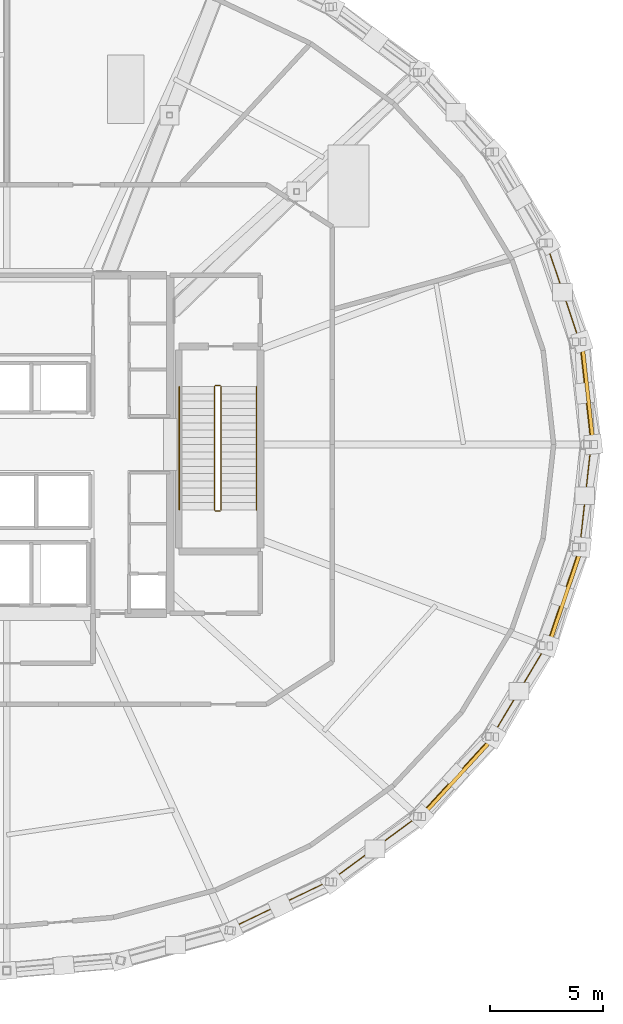
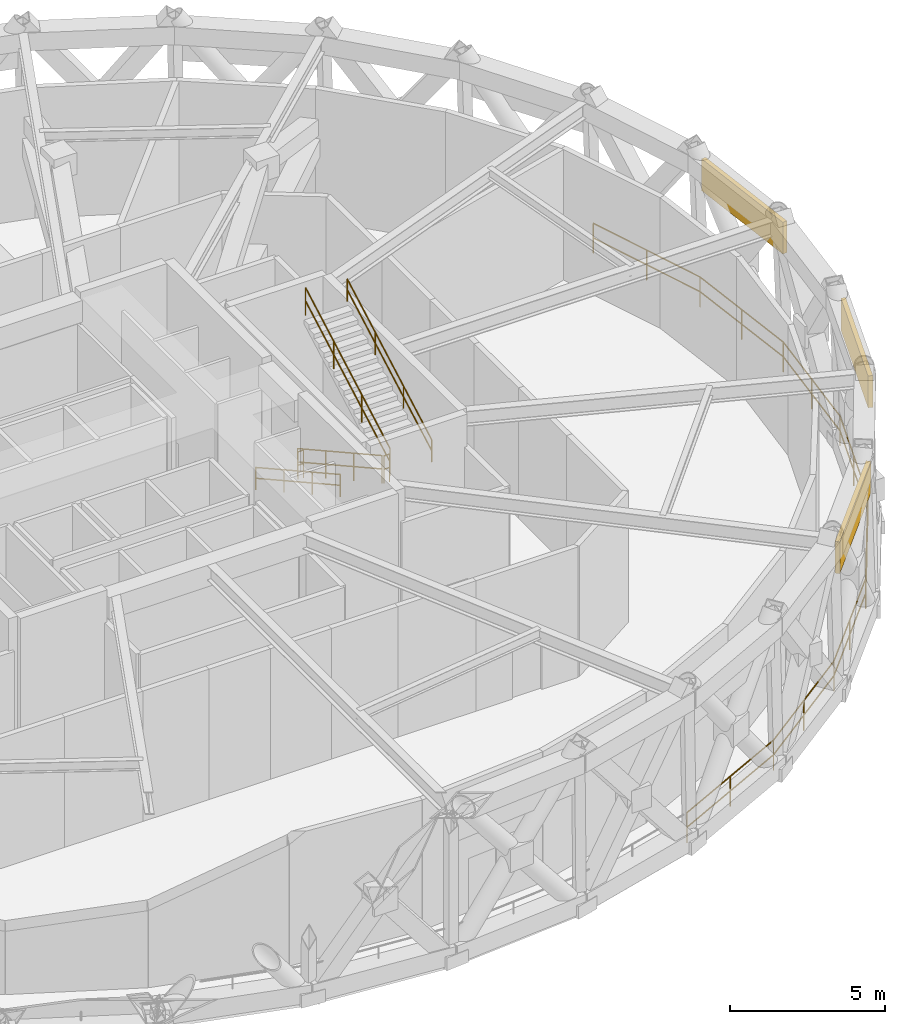
# One storey, part 13 of 15: 10 railings, 3 shading devices.
"""IFC4 building model written with IfcOpenShell, lengths in metres."""

from ifc_helpers import new_model, si_unit, direction, frame, origin, origin_2d, place, context, subcontext, project, spatial, rectangle, circle, extrude, material, layer, layer_set, type_object, element, save


model = new_model("IFC4")

# Units and contexts
model_context = context("Model", 3, precision=1e-05, world=origin(), true_north=direction((0.0, 1.0)))
body_context = subcontext(model_context, "Body", "Model", "MODEL_VIEW")
ifc_project = project(units=[si_unit("LENGTHUNIT", "METRE"), si_unit("AREAUNIT", "SQUARE_METRE"), si_unit("VOLUMEUNIT", "CUBIC_METRE"), si_unit("PLANEANGLEUNIT", "RADIAN"), si_unit("MASSUNIT", "GRAM", prefix="KILO")], contexts=[model_context])

# Site, building, storey
site_placement = place(None, origin())
site = spatial("IfcSite", under=ifc_project, at=site_placement, CompositionType="ELEMENT")
building_placement = place(site_placement, origin())
building = spatial("IfcBuilding", under=site, at=building_placement, Name="Veldorina Hangang Commons", CompositionType="ELEMENT")
storey_placement = place(building_placement, frame((0.0, 0.0, 208.39990234375)))
storey = spatial("IfcBuildingStorey", under=building, at=storey_placement, Name="L54", CompositionType="ELEMENT", Elevation=208.39990234375)

# Shading devices
ifc_material_1 = material(Name="Bronze Perforated Anodized", Category="metal")
ifc_layer = layer(ifc_material_1, 0.159912109375)
ifc_layer_set = layer_set([ifc_layer], Name="Bronze Perforated Anodized")
shading_device_type = type_object("IfcShadingDeviceType", Name="LVR-WND-4800", PredefinedType="JALOUSIE", material=ifc_layer_set)
shading_device_1_placement = place(storey_placement, frame((57.600830078125, 26.26220703125, 4.59521484375), z_axis=(0.0, 0.0, 1.0), x_axis=(-0.109127114459, 0.994027802876, 0.0)))
element("IfcShadingDevice", 1, at=shading_device_1_placement, inside=storey, type_object=shading_device_type, Name="L54 open wind-floor high storm louvre 00", PredefinedType="JALOUSIE", context=body_context, shape_type="SweptSolid", body=[
    extrude(rectangle(XDim=4.431396484375, YDim=0.159912109375, at=origin_2d()), origin(), (0.0, 0.0, 1.0), 1.25),
])
shading_device_2_placement = place(storey_placement, frame((51.885498046875, 9.358642578125, 4.59521484375), z_axis=(0.0, 0.0, 1.0), x_axis=(0.674959432699, 0.737854839525, 0.0)))
element("IfcShadingDevice", 2, at=shading_device_2_placement, inside=storey, type_object=shading_device_type, Name="L54 open wind-floor high storm louvre 28", PredefinedType="JALOUSIE", context=body_context, shape_type="SweptSolid", body=[
    extrude(rectangle(XDim=4.642822265625, YDim=0.159912109375, at=origin_2d()), origin(), (0.0, 0.0, 1.0), 1.25),
])
shading_device_3_placement = place(storey_placement, frame((56.616943359375, 17.30029296875, 4.59521484375), z_axis=(0.0, 0.0, 1.0), x_axis=(0.320315399884, 0.947310954543, 0.0)))
element("IfcShadingDevice", 3, at=shading_device_3_placement, inside=storey, type_object=shading_device_type, Name="L54 open wind-floor high storm louvre 30", PredefinedType="JALOUSIE", context=body_context, shape_type="SweptSolid", body=[
    extrude(rectangle(XDim=4.472412109375, YDim=0.159912109375, at=origin_2d()), origin(), (0.0, 0.0, 1.0), 1.25),
])

# Railings
ifc_material_2 = material(Name="Steel Painted Balustrade", Category="steel")
railing_type_1 = type_object("IfcRailingType", Name="RL-GRD-STAIR", PredefinedType="GUARDRAIL", material=ifc_material_2)
railing_1_placement = place(storey_placement, frame((41.14990234375, 26.550048828125, 0.177978515625)))
element("IfcRailing", 4, at=railing_1_placement, inside=storey, type_object=railing_type_1, Name="L54 ST-2 stair guard 1", PredefinedType="GUARDRAIL", context=body_context, shape_type="SweptSolid", body=[
    extrude(circle(Radius=0.02392578125, at=origin_2d()), frame((0.0, 0.0, 1.076171875), z_axis=(0.0, -0.874155425575, 0.485646262148), x_axis=(1.0, 0.0, 0.0)), (0.0, 0.0, 1.0), 6.22314453125),
    extrude(circle(Radius=0.02392578125, at=origin_2d()), frame((0.0, 0.0, 0.550048828125), z_axis=(0.0, -0.874155425575, 0.485646262148), x_axis=(1.0, 0.0, 0.0)), (0.0, 0.0, 1.0), 6.22314453125),
    extrude(circle(Radius=0.02099609375, at=origin_2d()), origin(), (0.0, 0.0, 1.0), 1.052001953125),
    extrude(circle(Radius=0.02099609375, at=origin_2d()), frame((0.0, -1.813232421875, 1.00732421875)), (0.0, 0.0, 1.0), 1.052001953125),
    extrude(circle(Radius=0.02099609375, at=origin_2d()), frame((0.0, -3.626708984375, 2.014892578125)), (0.0, 0.0, 1.0), 1.052001953125),
    extrude(circle(Radius=0.02099609375, at=origin_2d()), frame((0.0, -5.43994140625, 3.022216796875)), (0.0, 0.0, 1.0), 1.052001953125),
])
railing_2_placement = place(storey_placement, frame((41.199951171875, 21.06005859375, 3.2001953125)))
element("IfcRailing", 5, at=railing_2_placement, inside=storey, type_object=railing_type_1, Name="L54 ST-2 stair guard 2", PredefinedType="GUARDRAIL", context=body_context, shape_type="SweptSolid", body=[
    extrude(circle(Radius=0.02392578125, at=origin_2d()), frame((0.0, 0.0, 1.076171875), z_axis=(1.0, 0.0, 0.0), x_axis=(0.0, 1.0, 0.0)), (0.0, 0.0, 1.0), 0.199951171875),
    extrude(circle(Radius=0.02392578125, at=origin_2d()), frame((0.0, 0.0, 0.550048828125), z_axis=(1.0, 0.0, 0.0), x_axis=(0.0, 1.0, 0.0)), (0.0, 0.0, 1.0), 0.199951171875),
    extrude(circle(Radius=0.02099609375, at=origin_2d()), origin(), (0.0, 0.0, 1.0), 1.052001953125),
    extrude(circle(Radius=0.02099609375, at=origin_2d()), frame((0.199951171875, 0.0, 0.0)), (0.0, 0.0, 1.0), 1.052001953125),
])
railing_3_placement = place(storey_placement, frame((41.449951171875, 21.110107421875, 3.3779296875)))
element("IfcRailing", 6, at=railing_3_placement, inside=storey, type_object=railing_type_1, Name="L54 ST-2 stair guard 3", PredefinedType="GUARDRAIL", context=body_context, shape_type="SweptSolid", body=[
    extrude(circle(Radius=0.02392578125, at=origin_2d()), frame((0.0, 0.0, 1.076171875), z_axis=(0.0, 0.874155425575, 0.485646262148), x_axis=(-1.0, 0.0, 0.0)), (0.0, 0.0, 1.0), 6.22314453125),
    extrude(circle(Radius=0.02392578125, at=origin_2d()), frame((0.0, 0.0, 0.550048828125), z_axis=(0.0, 0.874155425575, 0.485646262148), x_axis=(-1.0, 0.0, 0.0)), (0.0, 0.0, 1.0), 6.22314453125),
    extrude(circle(Radius=0.02099609375, at=origin_2d()), origin(), (0.0, 0.0, 1.0), 1.052001953125),
    extrude(circle(Radius=0.02099609375, at=origin_2d()), frame((0.0, 1.813232421875, 1.00732421875)), (0.0, 0.0, 1.0), 1.052001953125),
    extrude(circle(Radius=0.02099609375, at=origin_2d()), frame((0.0, 3.626708984375, 2.014892578125)), (0.0, 0.0, 1.0), 1.052001953125),
    extrude(circle(Radius=0.02099609375, at=origin_2d()), frame((0.0, 5.43994140625, 3.022216796875)), (0.0, 0.0, 1.0), 1.052001953125),
])
railing_4_placement = place(storey_placement, frame((41.199951171875, 26.60009765625, 0.0)))
element("IfcRailing", 7, at=railing_4_placement, inside=storey, type_object=railing_type_1, Name="L54 ST-2 stair guard 4", PredefinedType="GUARDRAIL", context=body_context, shape_type="SweptSolid", body=[
    extrude(circle(Radius=0.02392578125, at=origin_2d()), frame((0.0, 0.0, 1.076171875), z_axis=(1.0, 0.0, 0.0), x_axis=(0.0, 1.0, 0.0)), (0.0, 0.0, 1.0), 0.199951171875),
    extrude(circle(Radius=0.02392578125, at=origin_2d()), frame((0.0, 0.0, 0.550048828125), z_axis=(1.0, 0.0, 0.0), x_axis=(0.0, 1.0, 0.0)), (0.0, 0.0, 1.0), 0.199951171875),
    extrude(circle(Radius=0.02099609375, at=origin_2d()), origin(), (0.0, 0.0, 1.0), 1.052001953125),
    extrude(circle(Radius=0.02099609375, at=origin_2d()), frame((0.199951171875, 0.0, 0.0)), (0.0, 0.0, 1.0), 1.052001953125),
])
ifc_material_3 = material(Name="Stainless Steel Brushed 316", Category="steel")
railing_type_2 = type_object("IfcRailingType", Name="RL-GRD-WIND", PredefinedType="GUARDRAIL", material=ifc_material_3)
railing_5_placement = place(storey_placement, frame((57.749267578125, 24.0, 0.0)))
element("IfcRailing", 8, at=railing_5_placement, inside=storey, type_object=railing_type_2, Name="L54 wind gallery perimeter safety guard 01", PredefinedType="GUARDRAIL", context=body_context, shape_type="SweptSolid", body=[
    extrude(circle(Radius=0.02392578125, at=origin_2d()), frame((0.0, 0.0, 1.17578125), z_axis=(-0.109207994496, 0.994018920312, 0.0), x_axis=(-0.994018920312, -0.109207994496, 0.0)), (0.0, 0.0, 1.0), 4.53369140625),
    extrude(circle(Radius=0.02392578125, at=origin_2d()), frame((0.0, 0.0, 0.60009765625), z_axis=(-0.109207994496, 0.994018920312, 0.0), x_axis=(-0.994018920312, -0.109207994496, 0.0)), (0.0, 0.0, 1.0), 4.53369140625),
    extrude(circle(Radius=0.02392578125, at=origin_2d()), frame((-0.4951171875, 4.506591796875, 1.17578125), z_axis=(-0.320515144125, 0.947243391313, 0.0), x_axis=(-0.947243391313, -0.320515144125, 0.0)), (0.0, 0.0, 1.0), 4.574951171875),
    extrude(circle(Radius=0.02392578125, at=origin_2d()), frame((-0.4951171875, 4.506591796875, 0.60009765625), z_axis=(-0.320515144125, 0.947243391313, 0.0), x_axis=(-0.947243391313, -0.320515144125, 0.0)), (0.0, 0.0, 1.0), 4.574951171875),
    extrude(circle(Radius=0.02099609375, at=origin_2d()), origin(), (0.0, 0.0, 1.0), 1.15185546875),
    extrude(circle(Radius=0.02099609375, at=origin_2d()), frame((-0.24755859375, 2.25341796875, 0.0)), (0.0, 0.0, 1.0), 1.15185546875),
    extrude(circle(Radius=0.02099609375, at=origin_2d()), frame((-0.4951171875, 4.506591796875, 0.0)), (0.0, 0.0, 1.0), 1.15185546875),
    extrude(circle(Radius=0.02099609375, at=origin_2d()), frame((-1.228271484375, 6.67333984375, 0.0)), (0.0, 0.0, 1.0), 1.15185546875),
    extrude(circle(Radius=0.02099609375, at=origin_2d()), frame((-1.96142578125, 8.840087890625, 0.0)), (0.0, 0.0, 1.0), 1.15185546875),
])
railing_6_placement = place(storey_placement, frame((41.85009765625, 2.665283203125, 0.0)))
element("IfcRailing", 9, at=railing_6_placement, inside=storey, type_object=railing_type_2, Name="L54 wind gallery perimeter safety guard 14", PredefinedType="GUARDRAIL", context=body_context, shape_type="SweptSolid", body=[
    extrude(circle(Radius=0.02392578125, at=origin_2d()), frame((0.0, 0.0, 1.17578125), z_axis=(0.901857790076, 0.432033015496, 0.0), x_axis=(-0.432033015496, 0.901857790076, 0.0)), (0.0, 0.0, 1.0), 4.935546875),
    extrude(circle(Radius=0.02392578125, at=origin_2d()), frame((0.0, 0.0, 0.60009765625), z_axis=(0.901857790076, 0.432033015496, 0.0), x_axis=(-0.432033015496, 0.901857790076, 0.0)), (0.0, 0.0, 1.0), 4.935546875),
    extrude(circle(Radius=0.02392578125, at=origin_2d()), frame((4.451171875, 2.13232421875, 1.17578125), z_axis=(0.805505265905, 0.592588614976, 0.0), x_axis=(-0.592588614976, 0.805505265905, 0.0)), (0.0, 0.0, 1.0), 4.844482421875),
    extrude(circle(Radius=0.02392578125, at=origin_2d()), frame((4.451171875, 2.13232421875, 0.60009765625), z_axis=(0.805505265905, 0.592588614976, 0.0), x_axis=(-0.592588614976, 0.805505265905, 0.0)), (0.0, 0.0, 1.0), 4.844482421875),
    extrude(circle(Radius=0.02099609375, at=origin_2d()), origin(), (0.0, 0.0, 1.0), 1.15185546875),
    extrude(circle(Radius=0.02099609375, at=origin_2d()), frame((2.2255859375, 1.066162109375, 0.0)), (0.0, 0.0, 1.0), 1.15185546875),
    extrude(circle(Radius=0.02099609375, at=origin_2d()), frame((4.451171875, 2.13232421875, 0.0)), (0.0, 0.0, 1.0), 1.15185546875),
    extrude(circle(Radius=0.02099609375, at=origin_2d()), frame((6.40234375, 3.56787109375, 0.0)), (0.0, 0.0, 1.0), 1.15185546875),
    extrude(circle(Radius=0.02099609375, at=origin_2d()), frame((8.353515625, 5.003173828125, 0.0)), (0.0, 0.0, 1.0), 1.15185546875),
])
railing_7_placement = place(storey_placement, frame((50.20361328125, 7.66845703125, 0.0)))
element("IfcRailing", 10, at=railing_7_placement, inside=storey, type_object=railing_type_2, Name="L54 wind gallery perimeter safety guard 15", PredefinedType="GUARDRAIL", context=body_context, shape_type="SweptSolid", body=[
    extrude(circle(Radius=0.02392578125, at=origin_2d()), frame((0.0, 0.0, 1.17578125), z_axis=(0.675284037491, 0.737557773134, 0.0), x_axis=(-0.737557773134, 0.675284037491, 0.0)), (0.0, 0.0, 1.0), 4.74365234375),
    extrude(circle(Radius=0.02392578125, at=origin_2d()), frame((0.0, 0.0, 0.60009765625), z_axis=(0.675284037491, 0.737557773134, 0.0), x_axis=(-0.737557773134, 0.675284037491, 0.0)), (0.0, 0.0, 1.0), 4.74365234375),
    extrude(circle(Radius=0.02392578125, at=origin_2d()), frame((3.203369140625, 3.498779296875, 1.17578125), z_axis=(0.512161408296, 0.858889219779, 0.0), x_axis=(-0.858889219779, 0.512161408296, 0.0)), (0.0, 0.0, 1.0), 4.648681640625),
    extrude(circle(Radius=0.02392578125, at=origin_2d()), frame((3.203369140625, 3.498779296875, 0.60009765625), z_axis=(0.512161408296, 0.858889219779, 0.0), x_axis=(-0.858889219779, 0.512161408296, 0.0)), (0.0, 0.0, 1.0), 4.648681640625),
    extrude(circle(Radius=0.02099609375, at=origin_2d()), origin(), (0.0, 0.0, 1.0), 1.15185546875),
    extrude(circle(Radius=0.02099609375, at=origin_2d()), frame((1.6015625, 1.74951171875, 0.0)), (0.0, 0.0, 1.0), 1.15185546875),
    extrude(circle(Radius=0.02099609375, at=origin_2d()), frame((3.203369140625, 3.498779296875, 0.0)), (0.0, 0.0, 1.0), 1.15185546875),
    extrude(circle(Radius=0.02099609375, at=origin_2d()), frame((4.393798828125, 5.4951171875, 0.0)), (0.0, 0.0, 1.0), 1.15185546875),
    extrude(circle(Radius=0.02099609375, at=origin_2d()), frame((5.584228515625, 7.491455078125, 0.0)), (0.0, 0.0, 1.0), 1.15185546875),
])
railing_8_placement = place(storey_placement, frame((55.787841796875, 15.159912109375, 0.0)))
element("IfcRailing", 11, at=railing_8_placement, inside=storey, type_object=railing_type_2, Name="L54 wind gallery perimeter safety guard 16", PredefinedType="GUARDRAIL", context=body_context, shape_type="SweptSolid", body=[
    extrude(circle(Radius=0.02392578125, at=origin_2d()), frame((0.0, 0.0, 1.17578125), z_axis=(0.320515144125, 0.947243391313, 0.0), x_axis=(-0.947243391313, 0.320515144125, 0.0)), (0.0, 0.0, 1.0), 4.574951171875),
    extrude(circle(Radius=0.02392578125, at=origin_2d()), frame((0.0, 0.0, 0.60009765625), z_axis=(0.320515144125, 0.947243391313, 0.0), x_axis=(-0.947243391313, 0.320515144125, 0.0)), (0.0, 0.0, 1.0), 4.574951171875),
    extrude(circle(Radius=0.02392578125, at=origin_2d()), frame((1.46630859375, 4.33349609375, 1.17578125), z_axis=(0.109207994496, 0.994018920312, 0.0), x_axis=(-0.994018920312, 0.109207994496, 0.0)), (0.0, 0.0, 1.0), 4.53369140625),
    extrude(circle(Radius=0.02392578125, at=origin_2d()), frame((1.46630859375, 4.33349609375, 0.60009765625), z_axis=(0.109207994496, 0.994018920312, 0.0), x_axis=(-0.994018920312, 0.109207994496, 0.0)), (0.0, 0.0, 1.0), 4.53369140625),
    extrude(circle(Radius=0.02099609375, at=origin_2d()), origin(), (0.0, 0.0, 1.0), 1.15185546875),
    extrude(circle(Radius=0.02099609375, at=origin_2d()), frame((0.733154296875, 2.166748046875, 0.0)), (0.0, 0.0, 1.0), 1.15185546875),
    extrude(circle(Radius=0.02099609375, at=origin_2d()), frame((1.46630859375, 4.33349609375, 0.0)), (0.0, 0.0, 1.0), 1.15185546875),
    extrude(circle(Radius=0.02099609375, at=origin_2d()), frame((1.7138671875, 6.5869140625, 0.0)), (0.0, 0.0, 1.0), 1.15185546875),
    extrude(circle(Radius=0.02099609375, at=origin_2d()), frame((1.96142578125, 8.840087890625, 0.0)), (0.0, 0.0, 1.0), 1.15185546875),
])
railing_type_3 = type_object("IfcRailingType", Name="RL-HND-STAIR", PredefinedType="HANDRAIL", material=ifc_material_3)
railing_9_placement = place(storey_placement, frame((39.60009765625, 26.550048828125, 0.177978515625)))
element("IfcRailing", 12, at=railing_9_placement, inside=storey, type_object=railing_type_3, Name="L54 ST-2 stair handrail 1", PredefinedType="HANDRAIL", context=body_context, shape_type="SweptSolid", body=[
    extrude(circle(Radius=0.02392578125, at=origin_2d()), frame((0.0, 0.0, 0.8759765625), z_axis=(0.0, -0.874155425575, 0.485646262148), x_axis=(1.0, 0.0, 0.0)), (0.0, 0.0, 1.0), 6.22314453125),
    extrude(circle(Radius=0.02392578125, at=origin_2d()), frame((0.0, 0.0, 0.449951171875), z_axis=(0.0, -0.874155425575, 0.485646262148), x_axis=(1.0, 0.0, 0.0)), (0.0, 0.0, 1.0), 6.22314453125),
    extrude(circle(Radius=0.02099609375, at=origin_2d()), origin(), (0.0, 0.0, 1.0), 0.851806640625),
    extrude(circle(Radius=0.02099609375, at=origin_2d()), frame((0.0, -1.813232421875, 1.00732421875)), (0.0, 0.0, 1.0), 0.851806640625),
    extrude(circle(Radius=0.02099609375, at=origin_2d()), frame((0.0, -3.626708984375, 2.014892578125)), (0.0, 0.0, 1.0), 0.851806640625),
    extrude(circle(Radius=0.02099609375, at=origin_2d()), frame((0.0, -5.43994140625, 3.022216796875)), (0.0, 0.0, 1.0), 0.851806640625),
])
railing_10_placement = place(storey_placement, frame((43.0, 21.110107421875, 3.3779296875)))
element("IfcRailing", 13, at=railing_10_placement, inside=storey, type_object=railing_type_3, Name="L54 ST-2 stair handrail 2", PredefinedType="HANDRAIL", context=body_context, shape_type="SweptSolid", body=[
    extrude(circle(Radius=0.02392578125, at=origin_2d()), frame((0.0, 0.0, 0.8759765625), z_axis=(0.0, 0.874155425575, 0.485646262148), x_axis=(-1.0, 0.0, 0.0)), (0.0, 0.0, 1.0), 6.22314453125),
    extrude(circle(Radius=0.02392578125, at=origin_2d()), frame((0.0, 0.0, 0.449951171875), z_axis=(0.0, 0.874155425575, 0.485646262148), x_axis=(-1.0, 0.0, 0.0)), (0.0, 0.0, 1.0), 6.22314453125),
    extrude(circle(Radius=0.02099609375, at=origin_2d()), origin(), (0.0, 0.0, 1.0), 0.851806640625),
    extrude(circle(Radius=0.02099609375, at=origin_2d()), frame((0.0, 1.813232421875, 1.00732421875)), (0.0, 0.0, 1.0), 0.851806640625),
    extrude(circle(Radius=0.02099609375, at=origin_2d()), frame((0.0, 3.626708984375, 2.014892578125)), (0.0, 0.0, 1.0), 0.851806640625),
    extrude(circle(Radius=0.02099609375, at=origin_2d()), frame((0.0, 5.43994140625, 3.022216796875)), (0.0, 0.0, 1.0), 0.851806640625),
])

save(model, "model.ifc")
